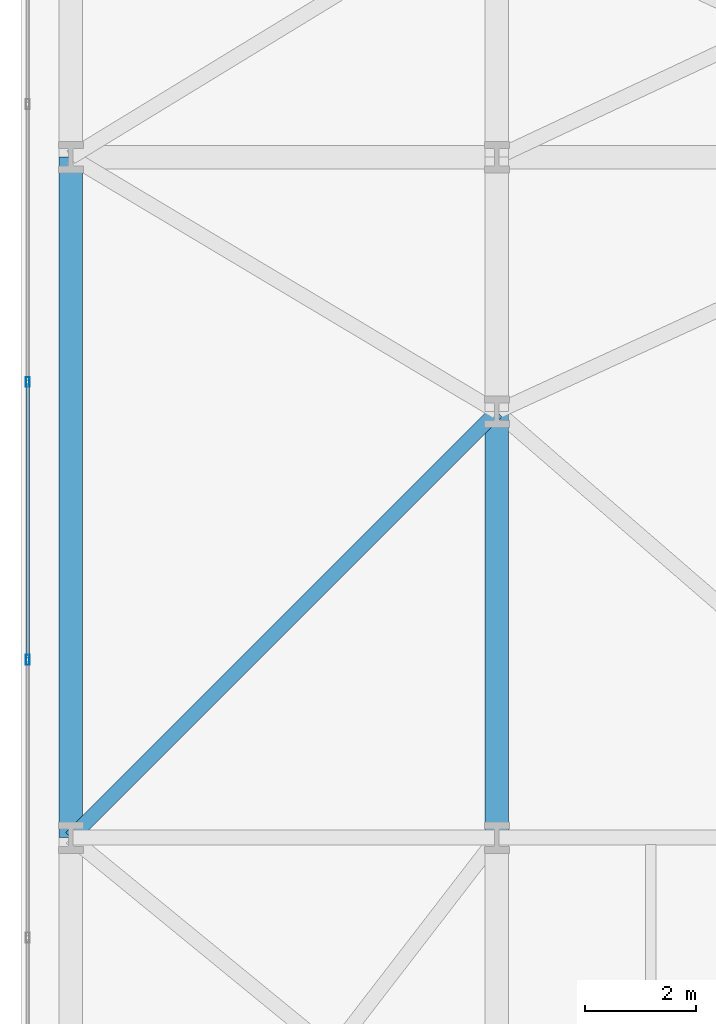
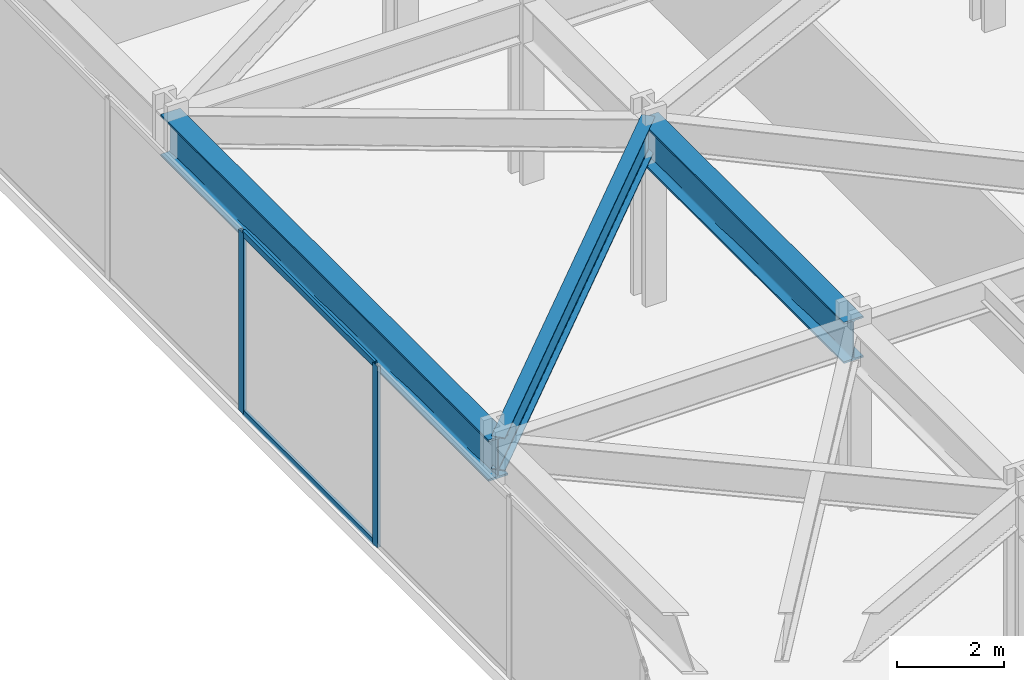
# One storey, part 8 of 30: 4 members, 3 beams, 1 element without a shape of its own.
"""IFC4 building model written with IfcOpenShell, lengths in metres."""

from ifc_helpers import new_model, si_unit, direction, frame, origin, origin_2d, place, context, subcontext, project, spatial, hollow_rectangle, i_section, extrude, material, layer, layer_set, material_profile, profile_set, type_object, element, aggregate, save


model = new_model("IFC4")

# Units and contexts
model_context = context("Model", 3, precision=1e-05, world=origin(), true_north=direction((0.0, 1.0)))
body_context = subcontext(model_context, "Body", "Model", "MODEL_VIEW")
ifc_project = project(units=[si_unit("LENGTHUNIT", "METRE"), si_unit("AREAUNIT", "SQUARE_METRE"), si_unit("VOLUMEUNIT", "CUBIC_METRE"), si_unit("PLANEANGLEUNIT", "RADIAN"), si_unit("MASSUNIT", "GRAM", prefix="KILO")], contexts=[model_context])

# Site, building, storey
site_placement = place(None, origin())
site = spatial("IfcSite", under=ifc_project, at=site_placement, CompositionType="ELEMENT")
building_placement = place(site_placement, origin())
building = spatial("IfcBuilding", under=site, at=building_placement, Name="Kravanh Interchange Tower", CompositionType="ELEMENT")
storey_placement = place(building_placement, frame((0.0, 0.0, 19.800048828125)))
storey = spatial("IfcBuildingStorey", under=building, at=storey_placement, Name="L04", CompositionType="ELEMENT", Elevation=19.800048828125)

# Curtain wall, members
ifc_material_1 = material(Name="Anodised Bronze Aluminium", Category="aluminium")
ifc_layer = layer(ifc_material_1, 0.179931640625)
ifc_layer_set = layer_set([ifc_layer], Name="Unitised Curtain Wall System CW-POD Podium Concourse")
curtain_wall_type = type_object("IfcCurtainWallType", Name="Unitised Curtain Wall System CW-POD Podium Concourse", PredefinedType="NOTDEFINED", material=ifc_layer_set)
curtain_wall_placement = place(storey_placement, origin())
curtain_wall = element("IfcCurtainWall", 1, at=curtain_wall_placement, inside=storey, type_object=curtain_wall_type, Name="L04 Unitised Curtain Wall CW-L04-01", PredefinedType="NOTDEFINED")
ifc_material_2 = material(Name="Anodised Bronze Aluminium", Category="aluminium")
ifc_material_profile_1 = material_profile(ifc_material_2, hollow_rectangle(XDim=0.070068359375, YDim=0.179931640625, WallThickness=0.00390625, at=origin_2d()), Name="ALU70X180X4")
ifc_profile_set_1 = profile_set([ifc_material_profile_1], Name="Anodised Bronze Aluminium")
member_type_1 = type_object("IfcMemberType", Name="Curtain Wall Mullion ALU70X180X4 Bronze", PredefinedType="MULLION", material=ifc_profile_set_1)
member_1_placement = place(storey_placement, frame((0.1201171875, 17.714111328125, 0.0), z_axis=(0.0, 0.0, 1.0), x_axis=(-1.0, 0.0, 0.0)))
member_1 = element("IfcMember", 2, at=member_1_placement, type_object=member_type_1, Name="CW-POD mullion 4", PredefinedType="MULLION", context=body_context, shape_type="SweptSolid", body=[
    extrude(hollow_rectangle(XDim=0.070068359375, YDim=0.179931640625, WallThickness=0.00390625, at=origin_2d()), origin(), (0.0, 0.0, 1.0), 4.14990234375),
])
member_2_placement = place(storey_placement, frame((0.1201171875, 22.735595703125, 0.0), z_axis=(0.0, 0.0, 1.0), x_axis=(-1.0, 0.0, 0.0)))
member_2 = element("IfcMember", 3, at=member_2_placement, type_object=member_type_1, Name="CW-POD mullion 5", PredefinedType="MULLION", context=body_context, shape_type="SweptSolid", body=[
    extrude(hollow_rectangle(XDim=0.070068359375, YDim=0.179931640625, WallThickness=0.00390625, at=origin_2d()), origin(), (0.0, 0.0, 1.0), 4.14990234375),
])
ifc_material_3 = material(Name="Anodised Bronze Aluminium", Category="aluminium")
ifc_material_profile_2 = material_profile(ifc_material_3, hollow_rectangle(XDim=0.06005859375, YDim=0.139892578125, WallThickness=0.00390625, at=origin_2d()), Name="ALU60X140X4")
ifc_profile_set_2 = profile_set([ifc_material_profile_2], Name="Anodised Bronze Aluminium")
member_type_2 = type_object("IfcMemberType", Name="Curtain Wall Transom ALU60X140X4 Bronze", PredefinedType="USERDEFINED", material=ifc_profile_set_2)
member_3_placement = place(storey_placement, frame((0.1201171875, 17.7490234375, 0.030029296875), z_axis=(0.0, 1.0, 0.0), x_axis=(-1.0, 0.0, 0.0)))
member_3 = element("IfcMember", 4, at=member_3_placement, type_object=member_type_2, Name="CW-POD transom 4.1", ObjectType="TRANSOM", PredefinedType="USERDEFINED", context=body_context, shape_type="SweptSolid", body=[
    extrude(hollow_rectangle(XDim=0.06005859375, YDim=0.139892578125, WallThickness=0.00390625, at=origin_2d()), origin(), (0.0, 0.0, 1.0), 4.95166015625),
])
member_4_placement = place(storey_placement, frame((0.1201171875, 17.7490234375, 4.119873046875), z_axis=(0.0, 1.0, 0.0), x_axis=(-1.0, 0.0, 0.0)))
member_4 = element("IfcMember", 5, at=member_4_placement, type_object=member_type_2, Name="CW-POD transom 4.2", ObjectType="TRANSOM", PredefinedType="USERDEFINED", context=body_context, shape_type="SweptSolid", body=[
    extrude(hollow_rectangle(XDim=0.06005859375, YDim=0.139892578125, WallThickness=0.00390625, at=origin_2d()), origin(), (0.0, 0.0, 1.0), 4.95166015625),
])
aggregate(curtain_wall, [member_1, member_2, member_3, member_4])

# Beams
ifc_material_4 = material(Name="Structural Steel S450", Category="steel")
ifc_material_profile_3 = material_profile(ifc_material_4, i_section(OverallWidth=0.423095703125, OverallDepth=0.947998046875, WebThickness=0.02392578125, FlangeThickness=0.042724609375, FilletRadius=0.028076171875, at=origin_2d()), Name="W36X302")
ifc_profile_set_3 = profile_set([ifc_material_profile_3], Name="Structural Steel S450")
beam_type_1 = type_object("IfcBeamType", Name="Floor Beam W36X302 Structural Steel S450", PredefinedType="BEAM", material=ifc_profile_set_3)
beam_1_placement = place(storey_placement, frame((8.60009765625, 14.5, 3.676025390625), z_axis=(0.0, 1.0, 0.0), x_axis=(-1.0, 0.0, 0.0)))
element("IfcBeam", 6, at=beam_1_placement, inside=storey, type_object=beam_type_1, Name="L04 Primary Floor Girder 37", PredefinedType="BEAM", context=body_context, shape_type="SweptSolid", body=[
    extrude(i_section(OverallWidth=0.423095703125, OverallDepth=0.947998046875, WebThickness=0.02392578125, FlangeThickness=0.042724609375, FilletRadius=0.028076171875, at=origin_2d()), origin(), (0.0, 0.0, 1.0), 7.699951171875),
])
beam_2_placement = place(storey_placement, frame((0.89990234375, 14.5, 3.676025390625), z_axis=(0.0, 1.0, 0.0), x_axis=(-1.0, 0.0, 0.0)))
element("IfcBeam", 7, at=beam_2_placement, inside=storey, type_object=beam_type_1, Name="L04 Primary Floor Girder 123", PredefinedType="BEAM", context=body_context, shape_type="SweptSolid", body=[
    extrude(i_section(OverallWidth=0.423095703125, OverallDepth=0.947998046875, WebThickness=0.02392578125, FlangeThickness=0.042724609375, FilletRadius=0.028076171875, at=origin_2d()), origin(), (0.0, 0.0, 1.0), 12.300048828125),
])
ifc_material_5 = material(Name="Structural Steel S355", Category="steel")
ifc_material_profile_4 = material_profile(ifc_material_5, i_section(OverallWidth=0.26708984375, OverallDepth=0.761962890625, WebThickness=0.014404296875, FlangeThickness=0.021484375, FilletRadius=0.02490234375, at=origin_2d()), Name="W30X116")
ifc_profile_set_4 = profile_set([ifc_material_profile_4], Name="Structural Steel S355")
beam_type_2 = type_object("IfcBeamType", Name="Floor Spandrel W30X116 Structural Steel S355", PredefinedType="SPANDREL", material=ifc_profile_set_4)
beam_3_placement = place(storey_placement, frame((8.60009765625, 22.199951171875, 3.76904296875), z_axis=(-0.707117990958, -0.707095571237, 0.0), x_axis=(0.707095571237, -0.707117990958, 0.0)))
element("IfcBeam", 8, at=beam_3_placement, inside=storey, type_object=beam_type_2, Name="L04 Perimeter Spandrel 59", PredefinedType="SPANDREL", context=body_context, shape_type="SweptSolid", body=[
    extrude(i_section(OverallWidth=0.26708984375, OverallDepth=0.761962890625, WebThickness=0.014404296875, FlangeThickness=0.021484375, FilletRadius=0.02490234375, at=origin_2d()), origin(), (0.0, 0.0, 1.0), 10.8896484375),
])

save(model, "model.ifc")
